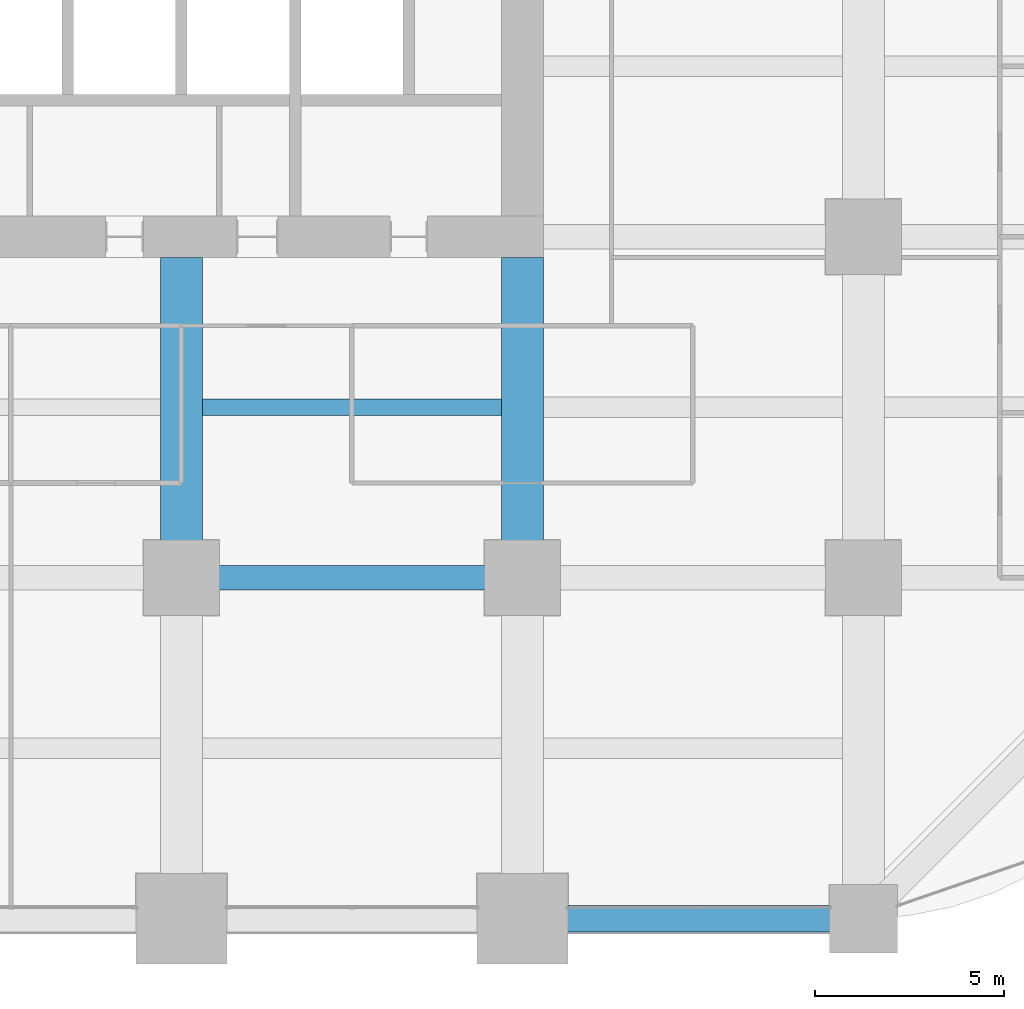
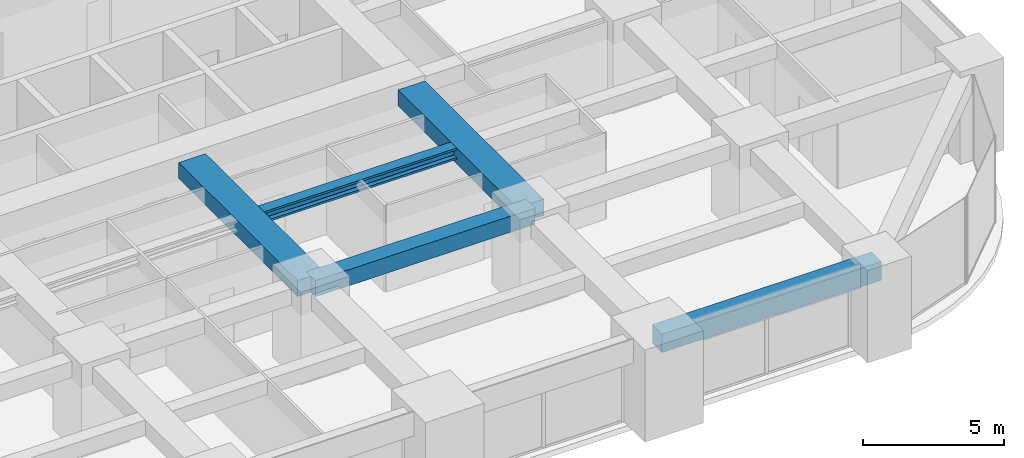
# One storey, part 15 of 41: 5 beams.
"""IFC4 building model written with IfcOpenShell, lengths in metres."""

from ifc_helpers import new_model, si_unit, direction, frame, origin, origin_2d, place, context, subcontext, project, spatial, rectangle, i_section, extrude, material, material_profile, profile_set, type_object, element, save


model = new_model("IFC4")

# Units and contexts
model_context = context("Model", 3, precision=1e-05, world=origin(), true_north=direction((0.0, 1.0)))
body_context = subcontext(model_context, "Body", "Model", "MODEL_VIEW")
ifc_project = project(units=[si_unit("LENGTHUNIT", "METRE"), si_unit("AREAUNIT", "SQUARE_METRE"), si_unit("VOLUMEUNIT", "CUBIC_METRE"), si_unit("PLANEANGLEUNIT", "RADIAN"), si_unit("MASSUNIT", "GRAM", prefix="KILO")], contexts=[model_context])

# Site, building, storey
site_placement = place(None, origin())
site = spatial("IfcSite", under=ifc_project, at=site_placement, CompositionType="ELEMENT")
building_placement = place(site_placement, origin())
building = spatial("IfcBuilding", under=site, at=building_placement, Name="Zorevar Civic Tower", CompositionType="ELEMENT")
storey_placement = place(building_placement, frame((0.0, 0.0, 109.0)))
storey = spatial("IfcBuildingStorey", under=building, at=storey_placement, Name="L26", CompositionType="ELEMENT", Elevation=109.0)

# Beams
ifc_material_1 = material(Name="Concrete C50/60", Category="concrete")
ifc_material_profile_1 = material_profile(ifc_material_1, rectangle(XDim=1.10009765625, YDim=0.699951171875, at=origin_2d()), Name="RC 1100x700")
ifc_profile_set_1 = profile_set([ifc_material_profile_1], Name="Concrete C50/60")
beam_type_1 = type_object("IfcBeamType", Name="Beam RC 1100x700", PredefinedType="BEAM", material=ifc_profile_set_1)
for number, where, z_axis, x_axis, name in (
    (1, (36.0, 9.0, 3.39990234375), (0.0, 1.0, 0.0), (-1.0, 0.0, 0.0), "Girder L27"),
    (2, (45.0, 9.0, 3.39990234375), (0.0, 1.0, 0.0), (-1.0, 0.0, 0.0), "Girder L27"),
):
    element("IfcBeam", number, at=place(storey_placement, frame(where, z_axis=z_axis, x_axis=x_axis)), inside=storey, type_object=beam_type_1, Name=name, PredefinedType="BEAM", context=body_context, shape_type="SweptSolid", body=[
        extrude(rectangle(XDim=1.10009765625, YDim=0.699951171875, at=origin_2d()), origin(), (0.0, 0.0, 1.0), 8.449951171875),
    ])
ifc_material_2 = material(Name="Concrete C50/60", Category="concrete")
ifc_material_profile_2 = material_profile(ifc_material_2, rectangle(XDim=0.64990234375, YDim=0.699951171875, at=origin_2d()), Name="RC 650x700")
ifc_profile_set_2 = profile_set([ifc_material_profile_2], Name="Concrete C50/60")
beam_type_2 = type_object("IfcBeamType", Name="Beam RC 650x700", PredefinedType="BEAM", material=ifc_profile_set_2)
beam_1_placement = place(storey_placement, frame((36.0, 9.0, 3.39990234375), z_axis=(1.0, 0.0, 0.0), x_axis=(0.0, 1.0, 0.0)))
element("IfcBeam", 3, at=beam_1_placement, inside=storey, type_object=beam_type_2, Name="Girder L27", PredefinedType="BEAM", context=body_context, shape_type="SweptSolid", body=[
    extrude(rectangle(XDim=0.64990234375, YDim=0.699951171875, at=origin_2d()), origin(), (0.0, 0.0, 1.0), 9.0),
])
ifc_material_3 = material(Name="Steel S460M (HISTAR 460)", Category="steel")
ifc_material_profile_3 = material_profile(ifc_material_3, i_section(OverallWidth=0.431884765625, OverallDepth=0.498046875, WebThickness=0.0556640625, FlangeThickness=0.0888671875, FilletRadius=0.014892578125, at=origin_2d()), Name="HD 400x744")
ifc_profile_set_3 = profile_set([ifc_material_profile_3], Name="Steel S460M (HISTAR 460)")
beam_type_3 = type_object("IfcBeamType", Name="Core bay beam HD 400x744", PredefinedType="BEAM", material=ifc_profile_set_3)
beam_2_placement = place(storey_placement, frame((36.550048828125, 13.5, 3.5009765625), z_axis=(1.0, 0.0, 0.0), x_axis=(0.0, 1.0, 0.0)))
element("IfcBeam", 4, at=beam_2_placement, inside=storey, type_object=beam_type_3, Name="Secondary beam L27", PredefinedType="BEAM", context=body_context, shape_type="SweptSolid", body=[
    extrude(i_section(OverallWidth=0.431884765625, OverallDepth=0.498046875, WebThickness=0.0556640625, FlangeThickness=0.0888671875, FilletRadius=0.014892578125, at=origin_2d()), origin(), (0.0, 0.0, 1.0), 7.89990234375),
])
ifc_material_4 = material(Name="Concrete C50/60", Category="concrete")
ifc_material_profile_4 = material_profile(ifc_material_4, rectangle(XDim=0.699951171875, YDim=0.800048828125, at=origin_2d()), Name="RC 700x800")
ifc_profile_set_4 = profile_set([ifc_material_profile_4], Name="Concrete C50/60")
beam_type_4 = type_object("IfcBeamType", Name="Edge beam RC 700x800", PredefinedType="SPANDREL", material=ifc_profile_set_4)
beam_3_placement = place(storey_placement, frame((45.0, 0.0, 3.35009765625), z_axis=(1.0, 0.0, 0.0), x_axis=(0.0, 1.0, 0.0)))
element("IfcBeam", 5, at=beam_3_placement, inside=storey, type_object=beam_type_4, Name="Edge beam L27", PredefinedType="SPANDREL", context=body_context, shape_type="SweptSolid", body=[
    extrude(rectangle(XDim=0.699951171875, YDim=0.800048828125, at=origin_2d()), origin(), (0.0, 0.0, 1.0), 9.0),
])

save(model, "model.ifc")
